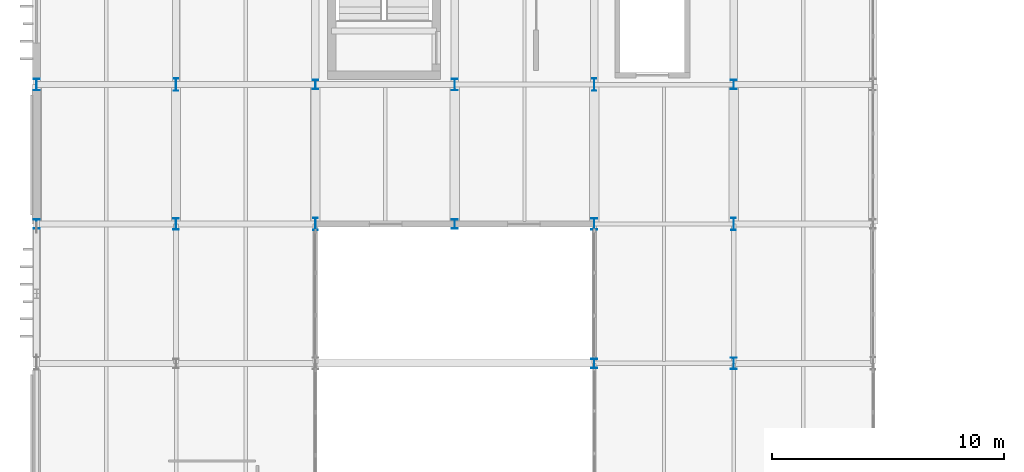
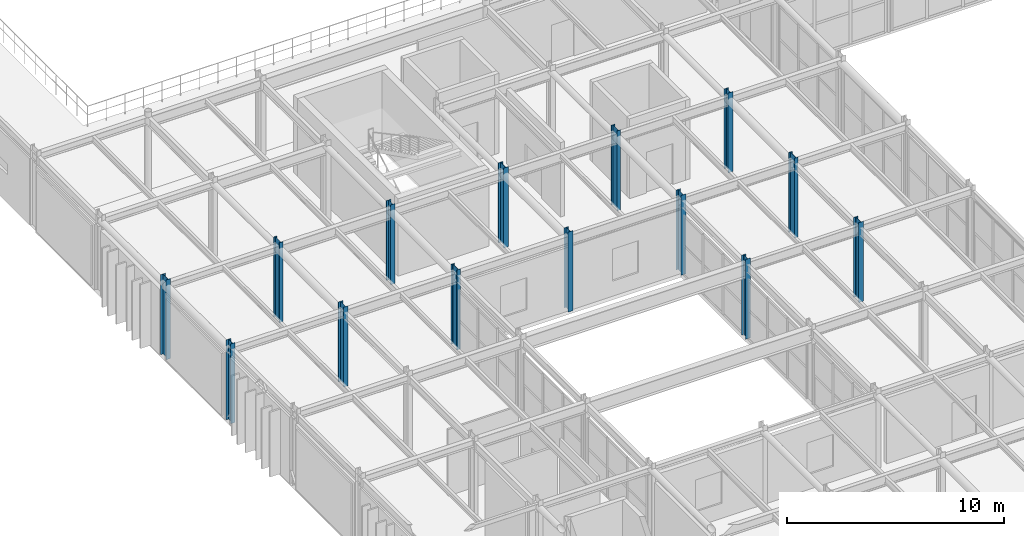
# One storey, part 4 of 84: 14 columns.
"""IFC4 building model written with IfcOpenShell, lengths in metres."""

from ifc_helpers import new_model, si_unit, direction, frame, origin, origin_2d, place, context, subcontext, project, spatial, i_section, extrude, material, material_profile, profile_set, type_object, element, save


model = new_model("IFC4")

# Units and contexts
model_context = context("Model", 3, precision=1e-05, world=origin(), true_north=direction((0.0, 1.0)))
body_context = subcontext(model_context, "Body", "Model", "MODEL_VIEW")
ifc_project = project(units=[si_unit("LENGTHUNIT", "METRE"), si_unit("AREAUNIT", "SQUARE_METRE"), si_unit("VOLUMEUNIT", "CUBIC_METRE"), si_unit("PLANEANGLEUNIT", "RADIAN"), si_unit("MASSUNIT", "GRAM", prefix="KILO")], contexts=[model_context])

# Site, building, storey
site_placement = place(None, origin())
site = spatial("IfcSite", under=ifc_project, at=site_placement, CompositionType="ELEMENT")
building_placement = place(site_placement, origin())
building = spatial("IfcBuilding", under=site, at=building_placement, Name="Varnakota Square Police Headquarters", CompositionType="ELEMENT")
storey_placement = place(building_placement, frame((0.0, 0.0, 13.5)))
storey = spatial("IfcBuildingStorey", under=building, at=storey_placement, Name="L03", CompositionType="ELEMENT", Elevation=13.5)

# Columns
ifc_material = material(Name="Steel IS 2062 Grade 350", Category="steel")
ifc_material_profile_1 = material_profile(ifc_material, i_section(OverallWidth=0.25, OverallDepth=0.39990234375, WebThickness=0.010498046875, FlangeThickness=0.0126953125, FilletRadius=0.013916015625, at=origin_2d()), Name="ISHB 400")
ifc_profile_set_1 = profile_set([ifc_material_profile_1], Name="Steel IS 2062 Grade 350")
column_type_1 = type_object("IfcColumnType", Name="COL-ISHB400", PredefinedType="COLUMN", material=ifc_profile_set_1)
for number, where, z_axis, x_axis, name in (
    (1, (6.0, 57.0, 0.0), (0.0, 0.0, 1.0), (1.0, 0.0, 0.0), "Column X0060-Y0570 L03"),
    (2, (18.0, 63.0, 0.0), (0.0, 0.0, 1.0), (1.0, 0.0, 0.0), "Column X0180-Y0630 L03"),
    (3, (24.0, 57.0, 0.0), (0.0, 0.0, 1.0), (1.0, 0.0, 0.0), "Column X0240-Y0570 L03"),
    (4, (30.0, 51.0, 0.0), (0.0, 0.0, 1.0), (1.0, 0.0, 0.0), "Column X0300-Y0510 L03"),
    (5, (36.0, 63.0, 0.0), (0.0, 0.0, 1.0), (1.0, 0.0, 0.0), "Column X0360-Y0630 L03"),
):
    element("IfcColumn", number, at=place(storey_placement, frame(where, z_axis=z_axis, x_axis=x_axis)), inside=storey, type_object=column_type_1, Name=name, PredefinedType="COLUMN", context=body_context, shape_type="SweptSolid", body=[
        extrude(i_section(OverallWidth=0.25, OverallDepth=0.39990234375, WebThickness=0.010498046875, FlangeThickness=0.0126953125, FilletRadius=0.013916015625, at=origin_2d()), origin(), (0.0, 0.0, 1.0), 4.5),
    ])
ifc_material_profile_2 = material_profile(ifc_material, i_section(OverallWidth=0.18994140625, OverallDepth=0.550048828125, WebThickness=0.01123046875, FlangeThickness=0.019287109375, FilletRadius=0.01806640625, at=origin_2d()), Name="ISMB 550")
ifc_profile_set_2 = profile_set([ifc_material_profile_2], Name="Steel IS 2062 Grade 350")
column_type_2 = type_object("IfcColumnType", Name="COL-ISMB550", PredefinedType="COLUMN", material=ifc_profile_set_2)
for number, where, z_axis, x_axis, name in (
    (6, (12.0, 63.0, 0.0), (0.0, 0.0, 1.0), (1.0, 0.0, 0.0), "Column X0120-Y0630 L03"),
    (7, (18.0, 57.0, 0.0), (0.0, 0.0, 1.0), (1.0, 0.0, 0.0), "Column X0180-Y0570 L03"),
    (8, (30.0, 63.0, 0.0), (0.0, 0.0, 1.0), (1.0, 0.0, 0.0), "Column X0300-Y0630 L03"),
    (9, (36.0, 57.0, 0.0), (0.0, 0.0, 1.0), (1.0, 0.0, 0.0), "Column X0360-Y0570 L03"),
):
    element("IfcColumn", number, at=place(storey_placement, frame(where, z_axis=z_axis, x_axis=x_axis)), inside=storey, type_object=column_type_2, Name=name, PredefinedType="COLUMN", context=body_context, shape_type="SweptSolid", body=[
        extrude(i_section(OverallWidth=0.18994140625, OverallDepth=0.550048828125, WebThickness=0.01123046875, FlangeThickness=0.019287109375, FilletRadius=0.01806640625, at=origin_2d()), origin(), (0.0, 0.0, 1.0), 4.5),
    ])
ifc_material_profile_3 = material_profile(ifc_material, i_section(OverallWidth=0.25, OverallDepth=0.5, WebThickness=0.010009765625, FlangeThickness=0.0146484375, FilletRadius=0.014892578125, at=origin_2d()), Name="ISWB 500")
ifc_profile_set_3 = profile_set([ifc_material_profile_3], Name="Steel IS 2062 Grade 350")
column_type_3 = type_object("IfcColumnType", Name="COL-ISWB500", PredefinedType="COLUMN", material=ifc_profile_set_3)
for number, where, z_axis, x_axis, name in (
    (10, (6.0, 63.0, 0.0), (0.0, 0.0, 1.0), (1.0, 0.0, 0.0), "Column X0060-Y0630 L03"),
    (11, (12.0, 57.0, 0.0), (0.0, 0.0, 1.0), (1.0, 0.0, 0.0), "Column X0120-Y0570 L03"),
    (12, (24.0, 63.0, 0.0), (0.0, 0.0, 1.0), (1.0, 0.0, 0.0), "Column X0240-Y0630 L03"),
    (13, (30.0, 57.0, 0.0), (0.0, 0.0, 1.0), (1.0, 0.0, 0.0), "Column X0300-Y0570 L03"),
    (14, (36.0, 51.0, 0.0), (0.0, 0.0, 1.0), (1.0, 0.0, 0.0), "Column X0360-Y0510 L03"),
):
    element("IfcColumn", number, at=place(storey_placement, frame(where, z_axis=z_axis, x_axis=x_axis)), inside=storey, type_object=column_type_3, Name=name, PredefinedType="COLUMN", context=body_context, shape_type="SweptSolid", body=[
        extrude(i_section(OverallWidth=0.25, OverallDepth=0.5, WebThickness=0.010009765625, FlangeThickness=0.0146484375, FilletRadius=0.014892578125, at=origin_2d()), origin(), (0.0, 0.0, 1.0), 4.5),
    ])

save(model, "model.ifc")
